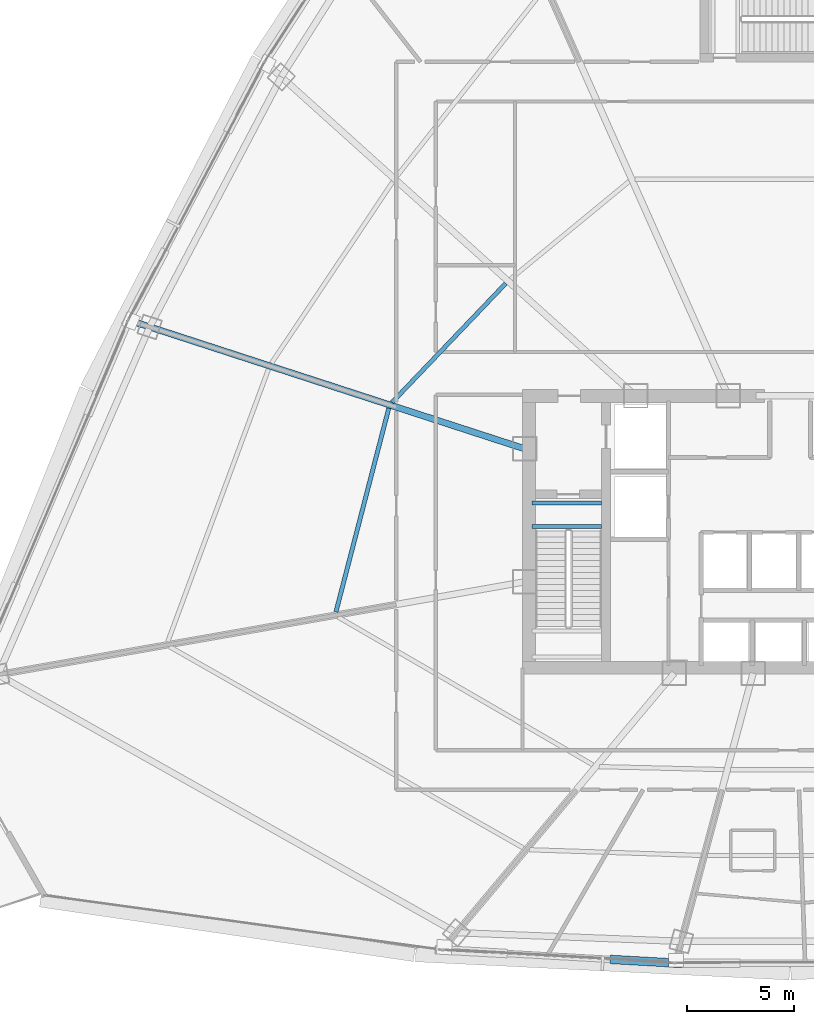
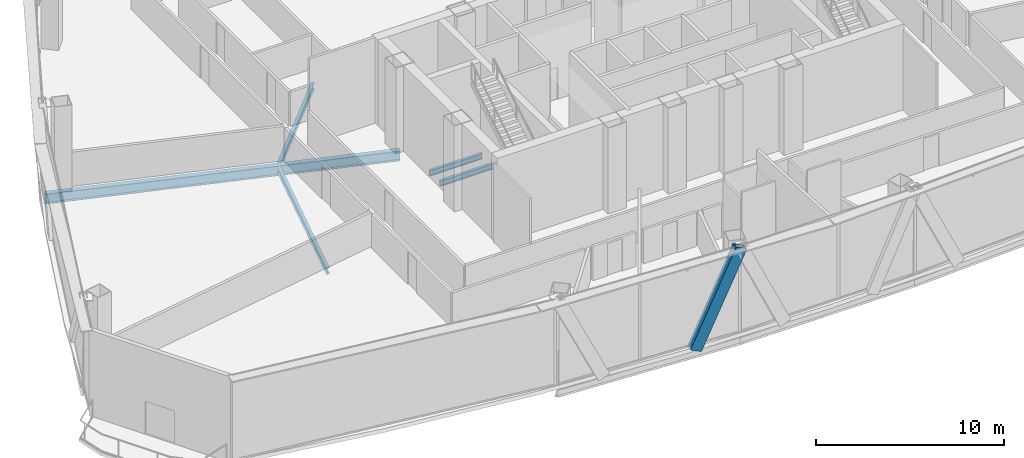
# One storey, part 9 of 40: 5 beams, 1 member.
"""IFC4 building model written with IfcOpenShell, lengths in metres."""

from ifc_helpers import new_model, si_unit, direction, frame, origin, origin_2d, place, context, subcontext, project, spatial, hollow_rectangle, i_section, extrude, source, transform, mapped, material, material_profile, profile_set, type_object, element, save


model = new_model("IFC4")

# Units and contexts
model_context = context("Model", 3, precision=1e-05, world=origin(), true_north=direction((0.0, 1.0)))
body_context = subcontext(model_context, "Body", "Model", "MODEL_VIEW")
ifc_project = project(units=[si_unit("LENGTHUNIT", "METRE"), si_unit("AREAUNIT", "SQUARE_METRE"), si_unit("VOLUMEUNIT", "CUBIC_METRE"), si_unit("PLANEANGLEUNIT", "RADIAN"), si_unit("MASSUNIT", "GRAM", prefix="KILO"), si_unit("THERMODYNAMICTEMPERATUREUNIT", "KELVIN"), si_unit("POWERUNIT", "WATT")], contexts=[model_context])

# Site, building, storey
site_placement = place(None, origin())
site = spatial("IfcSite", under=ifc_project, at=site_placement, CompositionType="ELEMENT")
building_placement = place(site_placement, origin())
building = spatial("IfcBuilding", under=site, at=building_placement, Name="Yunzhuo Pagoda Commons", CompositionType="ELEMENT")
storey_placement = place(building_placement, frame((0.0, 0.0, 170.31005859375)))
storey = spatial("IfcBuildingStorey", under=building, at=storey_placement, Name="L43", CompositionType="ELEMENT", Elevation=170.31005859375)

# Beams
ifc_material = material(Name="Structural steel Q355B", Category="steel")
ifc_material_profile_1 = material_profile(ifc_material, i_section(OverallWidth=0.175048828125, OverallDepth=0.35009765625, WebThickness=0.007080078125, FlangeThickness=0.010986328125, at=origin_2d()), Name="Structural steel Q355B")
ifc_profile_set_1 = profile_set([ifc_material_profile_1], Name="Structural steel Q355B")
beam_type_1 = type_object("IfcBeamType", Name="B-JS2 Joist HN 350x175x7x11", PredefinedType="JOIST", material=ifc_profile_set_1)
shared_shape_1 = source(origin(), body_context, "Body", "SweptSolid", [
    extrude(i_section(OverallWidth=0.175048828125, OverallDepth=0.35009765625, WebThickness=0.007080078125, FlangeThickness=0.010986328125, at=origin_2d()), origin(), (0.0, 0.0, 1.0), 3.25),
])
for number, where, z_axis, x_axis, name in (
    (1, (35.949951171875, 34.10009765625, -0.375), (1.0, 0.0, 0.0), (0.0, 1.0, 0.0), "L43 ST1 landing support beam 147A"),
    (2, (35.949951171875, 35.199951171875, -0.375), (1.0, 0.0, 0.0), (0.0, 1.0, 0.0), "L43 ST1 landing support beam 147B"),
):
    element("IfcBeam", number, at=place(storey_placement, frame(where, z_axis=z_axis, x_axis=x_axis)), inside=storey, type_object=beam_type_1, Name=name, PredefinedType="JOIST", context=body_context, shape_type="MappedRepresentation", body=[
        mapped(shared_shape_1, transform((0.0, 0.0, 0.0), scale=1.0)),
    ])
ifc_material_profile_2 = material_profile(ifc_material, i_section(OverallWidth=0.199951171875, OverallDepth=0.39990234375, WebThickness=0.008056640625, FlangeThickness=0.012939453125, at=origin_2d()), Name="Structural steel Q355B")
ifc_profile_set_2 = profile_set([ifc_material_profile_2], Name="Structural steel Q355B")
beam_type_2 = type_object("IfcBeamType", Name="B-JS1 Joist HN 400x200x8x13", PredefinedType="JOIST", material=ifc_profile_set_2)
shared_shape_2 = source(origin(), body_context, "Body", "SweptSolid", [
    extrude(i_section(OverallWidth=0.199951171875, OverallDepth=0.39990234375, WebThickness=0.008056640625, FlangeThickness=0.012939453125, at=origin_2d()), origin(), (0.0, 0.0, 1.0), 9.8330078125),
])
beam_1_placement = place(storey_placement, frame((29.254638671875, 39.623779296875, -0.4599609375), z_axis=(-0.251166367041, -0.967943932295, 0.0), x_axis=(0.967943932295, -0.251166367041, 0.0)))
element("IfcBeam", 3, at=beam_1_placement, inside=storey, type_object=beam_type_2, Name="L43 composite ring joist 1.11", PredefinedType="JOIST", context=body_context, shape_type="MappedRepresentation", body=[
    mapped(shared_shape_2, transform((0.0, 0.0, 0.0), scale=1.0)),
])
shared_shape_3 = source(origin(), body_context, "Body", "SweptSolid", [
    extrude(i_section(OverallWidth=0.199951171875, OverallDepth=0.39990234375, WebThickness=0.008056640625, FlangeThickness=0.012939453125, at=origin_2d()), origin(), (0.0, 0.0, 1.0), 7.685546875),
])
beam_2_placement = place(storey_placement, frame((34.714111328125, 45.448974609375, -0.4599609375), z_axis=(-0.690882862648, -0.722966714378, 0.0), x_axis=(0.722966714378, -0.690882862648, 0.0)))
element("IfcBeam", 4, at=beam_2_placement, inside=storey, type_object=beam_type_2, Name="L43 composite ring joist 1.10", PredefinedType="JOIST", context=body_context, shape_type="MappedRepresentation", body=[
    mapped(shared_shape_3, transform((0.0, 0.0, 0.0), scale=1.0)),
])
ifc_material_profile_3 = material_profile(ifc_material, i_section(OverallWidth=0.300048828125, OverallDepth=0.64990234375, WebThickness=0.012939453125, FlangeThickness=0.02197265625, at=origin_2d()), Name="Structural steel Q355B")
ifc_profile_set_3 = profile_set([ifc_material_profile_3], Name="Structural steel Q355B")
beam_type_3 = type_object("IfcBeamType", Name="B-RG2 Beam HN 650x300x13x22", PredefinedType="BEAM", material=ifc_profile_set_3)
shared_shape_4 = source(origin(), body_context, "Body", "SweptSolid", [
    extrude(i_section(OverallWidth=0.300048828125, OverallDepth=0.64990234375, WebThickness=0.012939453125, FlangeThickness=0.02197265625, at=origin_2d()), origin(), (0.0, 0.0, 1.0), 19.31201171875),
])
beam_3_placement = place(storey_placement, frame((17.2333984375, 43.69677734375, -0.5849609375), z_axis=(0.951055434175, -0.309020324777, 0.0), x_axis=(0.309020324777, 0.951055434175, 0.0)))
element("IfcBeam", 5, at=beam_3_placement, inside=storey, type_object=beam_type_3, Name="L43 radial floor girder F3C3", PredefinedType="BEAM", context=body_context, shape_type="MappedRepresentation", body=[
    mapped(shared_shape_4, transform((0.0, 0.0, 0.0), scale=1.0)),
])

# Member
ifc_material_profile_4 = material_profile(ifc_material, hollow_rectangle(XDim=0.39990234375, YDim=0.719970703125, WallThickness=0.02392578125, at=origin_2d()), Name="Structural steel Q355B")
ifc_profile_set_4 = profile_set([ifc_material_profile_4], Name="Structural steel Q355B")
member_type = type_object("IfcMemberType", Name="M-DL2 Brace BOX 720x400x24", PredefinedType="BRACE", material=ifc_profile_set_4)
shared_shape_5 = source(origin(), body_context, "Body", "SweptSolid", [
    extrude(hollow_rectangle(XDim=0.39990234375, YDim=0.719970703125, WallThickness=0.02392578125, at=origin_2d()), origin(), (0.0, 0.0, 1.0), 6.4375),
])
member_placement = place(storey_placement, frame((39.9169921875, 13.86083984375, -0.260009765625), z_axis=(0.423433543904, -0.023854876768, 0.905613040294), x_axis=(0.056247577234, 0.998416851849, 0.0)))
element("IfcMember", 6, at=member_placement, inside=storey, type_object=member_type, Name="L43 facade diamond brace F1.1R", PredefinedType="BRACE", context=body_context, shape_type="MappedRepresentation", body=[
    mapped(shared_shape_5, transform((0.0, 0.0, 0.0), scale=1.0)),
])

save(model, "model.ifc")
